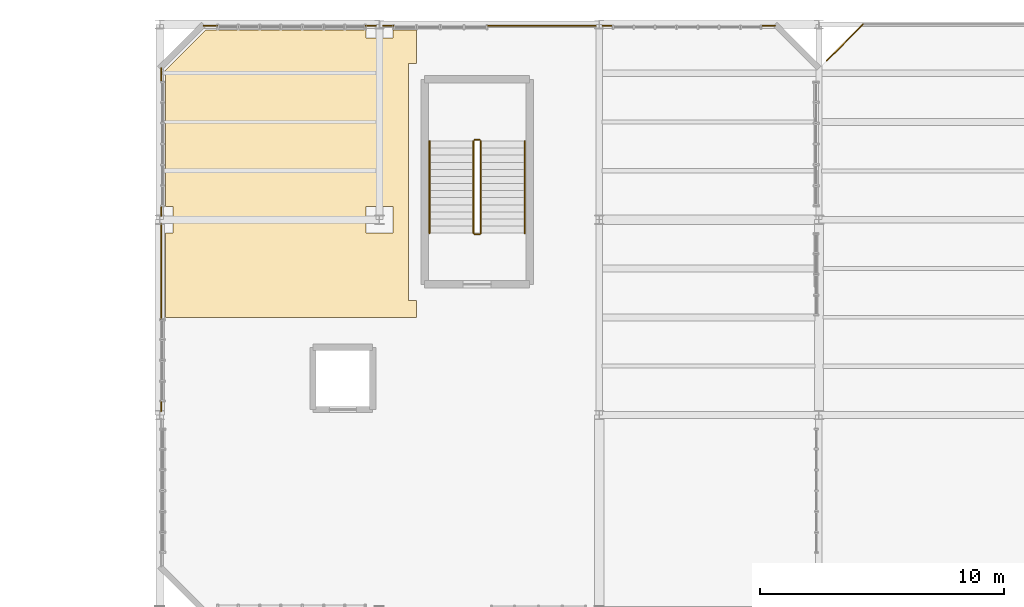
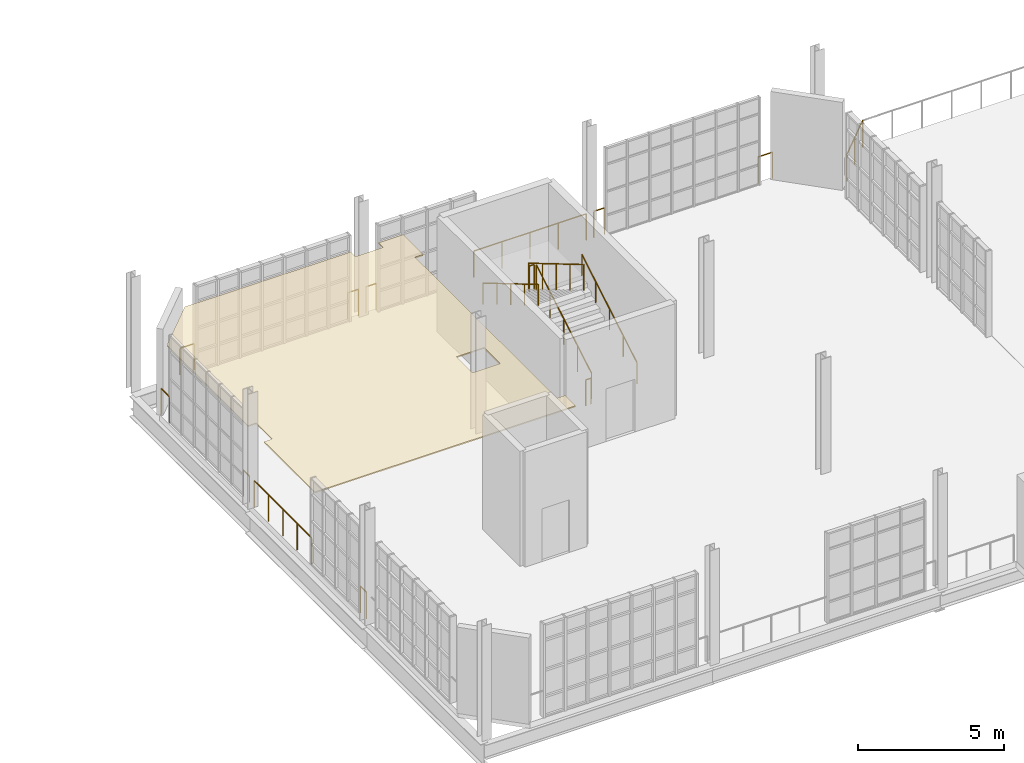
# One storey, part 84 of 85: 17 railings, 1 covering.
"""IFC4 building model written with IfcOpenShell, lengths in metres."""

from ifc_helpers import new_model, si_unit, direction, frame, origin, origin_2d, place, context, subcontext, project, spatial, polyline, circle, outline, extrude, material, layer, layer_set, type_object, element, save


model = new_model("IFC4")

# Units and contexts
model_context = context("Model", 3, precision=1e-05, world=origin(), true_north=direction((0.0, 1.0)))
body_context = subcontext(model_context, "Body", "Model", "MODEL_VIEW")
ifc_project = project(units=[si_unit("LENGTHUNIT", "METRE"), si_unit("AREAUNIT", "SQUARE_METRE"), si_unit("VOLUMEUNIT", "CUBIC_METRE"), si_unit("PLANEANGLEUNIT", "RADIAN"), si_unit("MASSUNIT", "GRAM", prefix="KILO"), si_unit("THERMODYNAMICTEMPERATUREUNIT", "KELVIN"), si_unit("POWERUNIT", "WATT")], contexts=[model_context])

# Site, building, storey
site_placement = place(None, origin())
site = spatial("IfcSite", under=ifc_project, at=site_placement, CompositionType="ELEMENT")
building_placement = place(site_placement, origin())
building = spatial("IfcBuilding", under=site, at=building_placement, Name="Zelmaris Science Centre", CompositionType="ELEMENT")
storey_placement = place(building_placement, frame((0.0, 0.0, 20.39990234375)))
storey = spatial("IfcBuildingStorey", under=building, at=storey_placement, Name="L04", CompositionType="ELEMENT", Elevation=20.39990234375)

# Covering
ifc_material_1 = material(Name="Perforated mineral-fibre acoustic ceiling tile")
ifc_layer = layer(ifc_material_1, 0.050048828125, Name="Perforated mineral-fibre acoustic ceiling tile")
ifc_layer_set = layer_set([ifc_layer], Name="Perforated mineral-fibre acoustic ceiling tile")
covering_type = type_object("IfcCoveringType", Name="Acoustic Ceiling CLG-02 50mm", PredefinedType="CEILING", material=ifc_layer_set)
covering_placement = place(storey_placement, frame((0.0, 0.0, 2.85009765625)))
element("IfcCovering", 1, at=covering_placement, inside=storey, type_object=covering_type, Name="L04 Telescope Preparation Teaching Laboratory acoustic ceiling", PredefinedType="CEILING", context=body_context, shape_type="SweptSolid", body=[
    extrude(outline(polyline([(64.52001953125, 76.0029296875), (64.51953125, 76.001220703125), (64.51904296875, 75.999267578125), (64.5185546875, 75.997314453125), (64.517578125, 75.99560546875), (64.5166015625, 75.993896484375), (64.515380859375, 75.9921875), (64.51416015625, 75.990966796875), (64.5126953125, 75.989501953125), (64.510986328125, 75.98828125), (64.509521484375, 75.9873046875), (64.5078125, 75.986572265625), (64.505859375, 75.98583984375), (64.50390625, 75.9853515625), (64.501953125, 75.985107421875), (64.5, 75.985107421875), (54.25, 75.985107421875), (54.248046875, 75.985107421875), (54.24609375, 75.9853515625), (54.244140625, 75.98583984375), (54.2421875, 75.986572265625), (54.240478515625, 75.9873046875), (54.239013671875, 75.98828125), (54.2373046875, 75.989501953125), (54.23583984375, 75.990966796875), (54.234619140625, 75.9921875), (54.2333984375, 75.993896484375), (54.232421875, 75.99560546875), (54.2314453125, 75.997314453125), (54.23095703125, 75.999267578125), (54.23046875, 76.001220703125), (54.22998046875, 76.0029296875), (54.22998046875, 76.0048828125), (54.22998046875, 79.449951171875), (54.550048828125, 79.449951171875), (54.550048828125, 80.550048828125), (54.22998046875, 80.550048828125), (54.22998046875, 86.096435546875), (54.22998046875, 86.098388671875), (54.23046875, 86.100341796875), (54.23095703125, 86.102294921875), (54.2314453125, 86.10400390625), (54.232421875, 86.105712890625), (54.2333984375, 86.107421875), (54.234619140625, 86.109130859375), (54.23583984375, 86.110595703125), (55.889404296875, 87.76416015625), (55.890869140625, 87.765380859375), (55.892578125, 87.7666015625), (55.894287109375, 87.767578125), (55.89599609375, 87.7685546875), (55.897705078125, 87.76904296875), (55.899658203125, 87.76953125), (55.901611328125, 87.77001953125), (55.903564453125, 87.77001953125), (62.449951171875, 87.77001953125), (62.449951171875, 87.449951171875), (63.550048828125, 87.449951171875), (63.550048828125, 87.77001953125), (64.5, 87.77001953125), (64.501953125, 87.77001953125), (64.50390625, 87.76953125), (64.505859375, 87.76904296875), (64.5078125, 87.7685546875), (64.509521484375, 87.767578125), (64.510986328125, 87.7666015625), (64.5126953125, 87.765380859375), (64.51416015625, 87.76416015625), (64.515380859375, 87.7626953125), (64.5166015625, 87.760986328125), (64.517578125, 87.759521484375), (64.5185546875, 87.7578125), (64.51904296875, 87.755859375), (64.51953125, 87.75390625), (64.52001953125, 87.751953125), (64.52001953125, 87.75), (64.52001953125, 86.39990234375), (64.199951171875, 86.39990234375), (64.199951171875, 76.699951171875), (64.52001953125, 76.699951171875), (64.52001953125, 76.0048828125), (64.52001953125, 76.0029296875)]), holes=[polyline([(63.550048828125, 80.550048828125), (62.449951171875, 80.550048828125), (62.449951171875, 79.449951171875), (63.550048828125, 79.449951171875), (63.550048828125, 80.550048828125)])]), origin(), (0.0, 0.0, 1.0), 0.050048828125),
])

# Railings
ifc_material_2 = material(Name="Architectural bronze alloy C28000")
railing_type_1 = type_object("IfcRailingType", Name="Balustrade GD-01 H1120", PredefinedType="BALUSTRADE", material=ifc_material_2)
railing_1_placement = place(storey_placement, frame((54.06005859375, 72.1630859375, 0.0)))
element("IfcRailing", 2, at=railing_1_placement, inside=storey, type_object=railing_type_1, Name="L04 Perimeter safety balustrade 267", PredefinedType="BALUSTRADE", context=body_context, shape_type="SweptSolid", body=[
    extrude(circle(Radius=0.02392578125, at=origin_2d()), frame((0.0, 0.0, 1.09619140625), z_axis=(0.0, 1.0, 0.0), x_axis=(-1.0, 0.0, 0.0)), (0.0, 0.0, 1.0), 0.406982421875),
    extrude(circle(Radius=0.02099609375, at=origin_2d()), origin(), (0.0, 0.0, 1.0), 1.072021484375),
    extrude(circle(Radius=0.02099609375, at=origin_2d()), frame((0.0, 0.406982421875, 0.0)), (0.0, 0.0, 1.0), 1.072021484375),
])
railing_2_placement = place(storey_placement, frame((54.06005859375, 75.909912109375, 0.0)))
element("IfcRailing", 3, at=railing_2_placement, inside=storey, type_object=railing_type_1, Name="L04 Perimeter safety balustrade 268", PredefinedType="BALUSTRADE", context=body_context, shape_type="SweptSolid", body=[
    extrude(circle(Radius=0.02392578125, at=origin_2d()), frame((0.0, 0.0, 1.09619140625), z_axis=(0.0, 1.0, 0.0), x_axis=(-1.0, 0.0, 0.0)), (0.0, 0.0, 1.0), 3.927001953125),
    extrude(circle(Radius=0.02099609375, at=origin_2d()), origin(), (0.0, 0.0, 1.0), 1.072021484375),
    extrude(circle(Radius=0.02099609375, at=origin_2d()), frame((0.0, 0.981689453125, 0.0)), (0.0, 0.0, 1.0), 1.072021484375),
    extrude(circle(Radius=0.02099609375, at=origin_2d()), frame((0.0, 1.96337890625, 0.0)), (0.0, 0.0, 1.0), 1.072021484375),
    extrude(circle(Radius=0.02099609375, at=origin_2d()), frame((0.0, 2.9453125, 0.0)), (0.0, 0.0, 1.0), 1.072021484375),
    extrude(circle(Radius=0.02099609375, at=origin_2d()), frame((0.0, 3.927001953125, 0.0)), (0.0, 0.0, 1.0), 1.072021484375),
])
railing_3_placement = place(storey_placement, frame((54.06005859375, 80.1630859375, 0.0)))
element("IfcRailing", 4, at=railing_3_placement, inside=storey, type_object=railing_type_1, Name="L04 Perimeter safety balustrade 269", PredefinedType="BALUSTRADE", context=body_context, shape_type="SweptSolid", body=[
    extrude(circle(Radius=0.02392578125, at=origin_2d()), frame((0.0, 0.0, 1.09619140625), z_axis=(0.0, 1.0, 0.0), x_axis=(-1.0, 0.0, 0.0)), (0.0, 0.0, 1.0), 0.406982421875),
    extrude(circle(Radius=0.02099609375, at=origin_2d()), origin(), (0.0, 0.0, 1.0), 1.072021484375),
    extrude(circle(Radius=0.02099609375, at=origin_2d()), frame((0.0, 0.406982421875, 0.0)), (0.0, 0.0, 1.0), 1.072021484375),
])
railing_4_placement = place(storey_placement, frame((54.06005859375, 85.6298828125, 0.0)))
element("IfcRailing", 5, at=railing_4_placement, inside=storey, type_object=railing_type_1, Name="L04 Perimeter safety balustrade 270", PredefinedType="BALUSTRADE", context=body_context, shape_type="SweptSolid", body=[
    extrude(circle(Radius=0.02392578125, at=origin_2d()), frame((0.0, 0.0, 1.09619140625), z_axis=(0.0, 1.0, 0.0), x_axis=(-1.0, 0.0, 0.0)), (0.0, 0.0, 1.0), 0.570068359375),
    extrude(circle(Radius=0.02099609375, at=origin_2d()), origin(), (0.0, 0.0, 1.0), 1.072021484375),
    extrude(circle(Radius=0.02099609375, at=origin_2d()), frame((0.0, 0.570068359375, 0.0)), (0.0, 0.0, 1.0), 1.072021484375),
])
railing_5_placement = place(storey_placement, frame((55.800048828125, 87.93994140625, 0.0)))
element("IfcRailing", 6, at=railing_5_placement, inside=storey, type_object=railing_type_1, Name="L04 Perimeter safety balustrade 271", PredefinedType="BALUSTRADE", context=body_context, shape_type="SweptSolid", body=[
    extrude(circle(Radius=0.02392578125, at=origin_2d()), frame((0.0, 0.0, 1.09619140625), z_axis=(1.0, 0.0, 0.0), x_axis=(0.0, 1.0, 0.0)), (0.0, 0.0, 1.0), 0.570068359375),
    extrude(circle(Radius=0.02099609375, at=origin_2d()), origin(), (0.0, 0.0, 1.0), 1.072021484375),
    extrude(circle(Radius=0.02099609375, at=origin_2d()), frame((0.570068359375, 0.0, 0.0)), (0.0, 0.0, 1.0), 1.072021484375),
])
for number, where, name in (
    (7, (62.429931640625, 87.93994140625, 0.0), "L04 Perimeter safety balustrade 272"),
    (8, (63.14794921875, 87.93994140625, 0.0), "L04 Perimeter safety balustrade 273"),
):
    element("IfcRailing", number, at=place(storey_placement, frame(where)), inside=storey, type_object=railing_type_1, Name=name, PredefinedType="BALUSTRADE", context=body_context, shape_type="SweptSolid", body=[
        extrude(circle(Radius=0.02392578125, at=origin_2d()), frame((0.0, 0.0, 1.09619140625), z_axis=(1.0, 0.0, 0.0), x_axis=(0.0, 1.0, 0.0)), (0.0, 0.0, 1.0), 0.422119140625),
        extrude(circle(Radius=0.02099609375, at=origin_2d()), origin(), (0.0, 0.0, 1.0), 1.072021484375),
        extrude(circle(Radius=0.02099609375, at=origin_2d()), frame((0.422119140625, 0.0, 0.0)), (0.0, 0.0, 1.0), 1.072021484375),
    ])
railing_6_placement = place(storey_placement, frame((67.409912109375, 87.93994140625, 0.0)))
element("IfcRailing", 9, at=railing_6_placement, inside=storey, type_object=railing_type_1, Name="L04 Perimeter safety balustrade 274", PredefinedType="BALUSTRADE", context=body_context, shape_type="SweptSolid", body=[
    extrude(circle(Radius=0.02392578125, at=origin_2d()), frame((0.0, 0.0, 1.09619140625), z_axis=(1.0, 0.0, 0.0), x_axis=(0.0, 1.0, 0.0)), (0.0, 0.0, 1.0), 4.442138671875),
    extrude(circle(Radius=0.02099609375, at=origin_2d()), origin(), (0.0, 0.0, 1.0), 1.072021484375),
    extrude(circle(Radius=0.02099609375, at=origin_2d()), frame((1.110595703125, 0.0, 0.0)), (0.0, 0.0, 1.0), 1.072021484375),
    extrude(circle(Radius=0.02099609375, at=origin_2d()), frame((2.22119140625, 0.0, 0.0)), (0.0, 0.0, 1.0), 1.072021484375),
    extrude(circle(Radius=0.02099609375, at=origin_2d()), frame((3.33154296875, 0.0, 0.0)), (0.0, 0.0, 1.0), 1.072021484375),
    extrude(circle(Radius=0.02099609375, at=origin_2d()), frame((4.442138671875, 0.0, 0.0)), (0.0, 0.0, 1.0), 1.072021484375),
])
railing_7_placement = place(storey_placement, frame((72.14794921875, 87.93994140625, 0.0)))
element("IfcRailing", 10, at=railing_7_placement, inside=storey, type_object=railing_type_1, Name="L04 Perimeter safety balustrade 275", PredefinedType="BALUSTRADE", context=body_context, shape_type="SweptSolid", body=[
    extrude(circle(Radius=0.02392578125, at=origin_2d()), frame((0.0, 0.0, 1.09619140625), z_axis=(1.0, 0.0, 0.0), x_axis=(0.0, 1.0, 0.0)), (0.0, 0.0, 1.0), 0.422119140625),
    extrude(circle(Radius=0.02099609375, at=origin_2d()), origin(), (0.0, 0.0, 1.0), 1.072021484375),
    extrude(circle(Radius=0.02099609375, at=origin_2d()), frame((0.422119140625, 0.0, 0.0)), (0.0, 0.0, 1.0), 1.072021484375),
])
railing_8_placement = place(storey_placement, frame((78.6298828125, 87.93994140625, 0.0)))
element("IfcRailing", 11, at=railing_8_placement, inside=storey, type_object=railing_type_1, Name="L04 Perimeter safety balustrade 276", PredefinedType="BALUSTRADE", context=body_context, shape_type="SweptSolid", body=[
    extrude(circle(Radius=0.02392578125, at=origin_2d()), frame((0.0, 0.0, 1.09619140625), z_axis=(1.0, 0.0, 0.0), x_axis=(0.0, 1.0, 0.0)), (0.0, 0.0, 1.0), 0.570068359375),
    extrude(circle(Radius=0.02099609375, at=origin_2d()), origin(), (0.0, 0.0, 1.0), 1.072021484375),
    extrude(circle(Radius=0.02099609375, at=origin_2d()), frame((0.570068359375, 0.0, 0.0)), (0.0, 0.0, 1.0), 1.072021484375),
])
railing_9_placement = place(storey_placement, frame((67.14990234375, 79.449951171875, 0.171630859375)))
element("IfcRailing", 12, at=railing_9_placement, inside=storey, type_object=railing_type_1, Name="L04 ST-3 stair guard 1", PredefinedType="BALUSTRADE", context=body_context, shape_type="SweptSolid", body=[
    extrude(circle(Radius=0.02392578125, at=origin_2d()), frame((0.0, 0.0, 1.076171875), z_axis=(0.0, 0.860848830602, 0.508860777473), x_axis=(-1.0, 0.0, 0.0)), (0.0, 0.0, 1.0), 4.37939453125),
    extrude(circle(Radius=0.02099609375, at=origin_2d()), origin(), (0.0, 0.0, 1.0), 1.052001953125),
    extrude(circle(Radius=0.02099609375, at=origin_2d()), frame((0.0, 0.9423828125, 0.55712890625)), (0.0, 0.0, 1.0), 1.052001953125),
    extrude(circle(Radius=0.02099609375, at=origin_2d()), frame((0.0, 1.885009765625, 1.1142578125)), (0.0, 0.0, 1.0), 1.052001953125),
    extrude(circle(Radius=0.02099609375, at=origin_2d()), frame((0.0, 2.82763671875, 1.67138671875)), (0.0, 0.0, 1.0), 1.052001953125),
    extrude(circle(Radius=0.02099609375, at=origin_2d()), frame((0.0, 3.77001953125, 2.228515625)), (0.0, 0.0, 1.0), 1.052001953125),
])
railing_10_placement = place(storey_placement, frame((67.10009765625, 83.27001953125, 2.400146484375)))
element("IfcRailing", 13, at=railing_10_placement, inside=storey, type_object=railing_type_1, Name="L04 ST-3 stair guard 2", PredefinedType="BALUSTRADE", context=body_context, shape_type="SweptSolid", body=[
    extrude(circle(Radius=0.02392578125, at=origin_2d()), frame((0.0, 0.0, 1.076171875), z_axis=(-1.0, 0.0, 0.0), x_axis=(0.0, -1.0, 0.0)), (0.0, 0.0, 1.0), 0.2001953125),
    extrude(circle(Radius=0.02099609375, at=origin_2d()), origin(), (0.0, 0.0, 1.0), 1.052001953125),
    extrude(circle(Radius=0.02099609375, at=origin_2d()), frame((-0.2001953125, 0.0, 0.0)), (0.0, 0.0, 1.0), 1.052001953125),
])
railing_11_placement = place(storey_placement, frame((66.85009765625, 83.219970703125, 2.571533203125)))
element("IfcRailing", 14, at=railing_11_placement, inside=storey, type_object=railing_type_1, Name="L04 ST-3 stair guard 3", PredefinedType="BALUSTRADE", context=body_context, shape_type="SweptSolid", body=[
    extrude(circle(Radius=0.02392578125, at=origin_2d()), frame((0.0, 0.0, 1.076171875), z_axis=(0.0, -0.860848830602, 0.508860777473), x_axis=(1.0, 0.0, 0.0)), (0.0, 0.0, 1.0), 4.37939453125),
    extrude(circle(Radius=0.02099609375, at=origin_2d()), origin(), (0.0, 0.0, 1.0), 1.052001953125),
    extrude(circle(Radius=0.02099609375, at=origin_2d()), frame((0.0, -0.9423828125, 0.55712890625)), (0.0, 0.0, 1.0), 1.052001953125),
    extrude(circle(Radius=0.02099609375, at=origin_2d()), frame((0.0, -1.885009765625, 1.1142578125)), (0.0, 0.0, 1.0), 1.052001953125),
    extrude(circle(Radius=0.02099609375, at=origin_2d()), frame((0.0, -2.82763671875, 1.67138671875)), (0.0, 0.0, 1.0), 1.052001953125),
    extrude(circle(Radius=0.02099609375, at=origin_2d()), frame((0.0, -3.77001953125, 2.228515625)), (0.0, 0.0, 1.0), 1.052001953125),
])
railing_12_placement = place(storey_placement, frame((67.10009765625, 79.39990234375, 0.0)))
element("IfcRailing", 15, at=railing_12_placement, inside=storey, type_object=railing_type_1, Name="L04 ST-3 stair guard 4", PredefinedType="BALUSTRADE", context=body_context, shape_type="SweptSolid", body=[
    extrude(circle(Radius=0.02392578125, at=origin_2d()), frame((0.0, 0.0, 1.076171875), z_axis=(-1.0, 0.0, 0.0), x_axis=(0.0, -1.0, 0.0)), (0.0, 0.0, 1.0), 0.2001953125),
    extrude(circle(Radius=0.02099609375, at=origin_2d()), origin(), (0.0, 0.0, 1.0), 1.052001953125),
    extrude(circle(Radius=0.02099609375, at=origin_2d()), frame((-0.2001953125, 0.0, 0.0)), (0.0, 0.0, 1.0), 1.052001953125),
])
railing_type_2 = type_object("IfcRailingType", Name="Balustrade GD-02 H1150", PredefinedType="BALUSTRADE", material=ifc_material_2)
railing_13_placement = place(storey_placement, frame((81.318115234375, 86.518310546875, 0.0)))
element("IfcRailing", 16, at=railing_13_placement, inside=storey, type_object=railing_type_2, Name="L04 Terrace safety balustrade 40", PredefinedType="BALUSTRADE", context=body_context, shape_type="SweptSolid", body=[
    extrude(circle(Radius=0.02392578125, at=origin_2d()), frame((0.0, 0.0, 1.1259765625), z_axis=(0.707165029613, 0.707048527961, 0.0), x_axis=(-0.707048527961, 0.707165029613, 0.0)), (0.0, 0.0, 1.0), 2.095703125),
    extrude(circle(Radius=0.02099609375, at=origin_2d()), origin(), (0.0, 0.0, 1.0), 1.101806640625),
    extrude(circle(Radius=0.02099609375, at=origin_2d()), frame((0.740966796875, 0.74072265625, 0.0)), (0.0, 0.0, 1.0), 1.101806640625),
    extrude(circle(Radius=0.02099609375, at=origin_2d()), frame((1.48193359375, 1.481689453125, 0.0)), (0.0, 0.0, 1.0), 1.101806640625),
])
railing_type_3 = type_object("IfcRailingType", Name="Handrail HR-01 H900", PredefinedType="HANDRAIL", material=ifc_material_2)
railing_14_placement = place(storey_placement, frame((68.949951171875, 79.449951171875, 0.171630859375)))
element("IfcRailing", 17, at=railing_14_placement, inside=storey, type_object=railing_type_3, Name="L04 ST-3 stair handrail 1", PredefinedType="HANDRAIL", context=body_context, shape_type="SweptSolid", body=[
    extrude(circle(Radius=0.02392578125, at=origin_2d()), frame((0.0, 0.0, 0.8759765625), z_axis=(0.0, 0.860848830602, 0.508860777473), x_axis=(-1.0, 0.0, 0.0)), (0.0, 0.0, 1.0), 4.37939453125),
    extrude(circle(Radius=0.02099609375, at=origin_2d()), origin(), (0.0, 0.0, 1.0), 0.851806640625),
    extrude(circle(Radius=0.02099609375, at=origin_2d()), frame((0.0, 0.9423828125, 0.55712890625)), (0.0, 0.0, 1.0), 0.851806640625),
    extrude(circle(Radius=0.02099609375, at=origin_2d()), frame((0.0, 1.885009765625, 1.1142578125)), (0.0, 0.0, 1.0), 0.851806640625),
    extrude(circle(Radius=0.02099609375, at=origin_2d()), frame((0.0, 2.82763671875, 1.67138671875)), (0.0, 0.0, 1.0), 0.851806640625),
    extrude(circle(Radius=0.02099609375, at=origin_2d()), frame((0.0, 3.77001953125, 2.228515625)), (0.0, 0.0, 1.0), 0.851806640625),
])
railing_15_placement = place(storey_placement, frame((65.050048828125, 83.219970703125, 2.571533203125)))
element("IfcRailing", 18, at=railing_15_placement, inside=storey, type_object=railing_type_3, Name="L04 ST-3 stair handrail 2", PredefinedType="HANDRAIL", context=body_context, shape_type="SweptSolid", body=[
    extrude(circle(Radius=0.02392578125, at=origin_2d()), frame((0.0, 0.0, 0.8759765625), z_axis=(0.0, -0.860848830602, 0.508860777473), x_axis=(1.0, 0.0, 0.0)), (0.0, 0.0, 1.0), 4.37939453125),
    extrude(circle(Radius=0.02099609375, at=origin_2d()), origin(), (0.0, 0.0, 1.0), 0.851806640625),
    extrude(circle(Radius=0.02099609375, at=origin_2d()), frame((0.0, -0.9423828125, 0.55712890625)), (0.0, 0.0, 1.0), 0.851806640625),
    extrude(circle(Radius=0.02099609375, at=origin_2d()), frame((0.0, -1.885009765625, 1.1142578125)), (0.0, 0.0, 1.0), 0.851806640625),
    extrude(circle(Radius=0.02099609375, at=origin_2d()), frame((0.0, -2.82763671875, 1.67138671875)), (0.0, 0.0, 1.0), 0.851806640625),
    extrude(circle(Radius=0.02099609375, at=origin_2d()), frame((0.0, -3.77001953125, 2.228515625)), (0.0, 0.0, 1.0), 0.851806640625),
])

save(model, "model.ifc")
